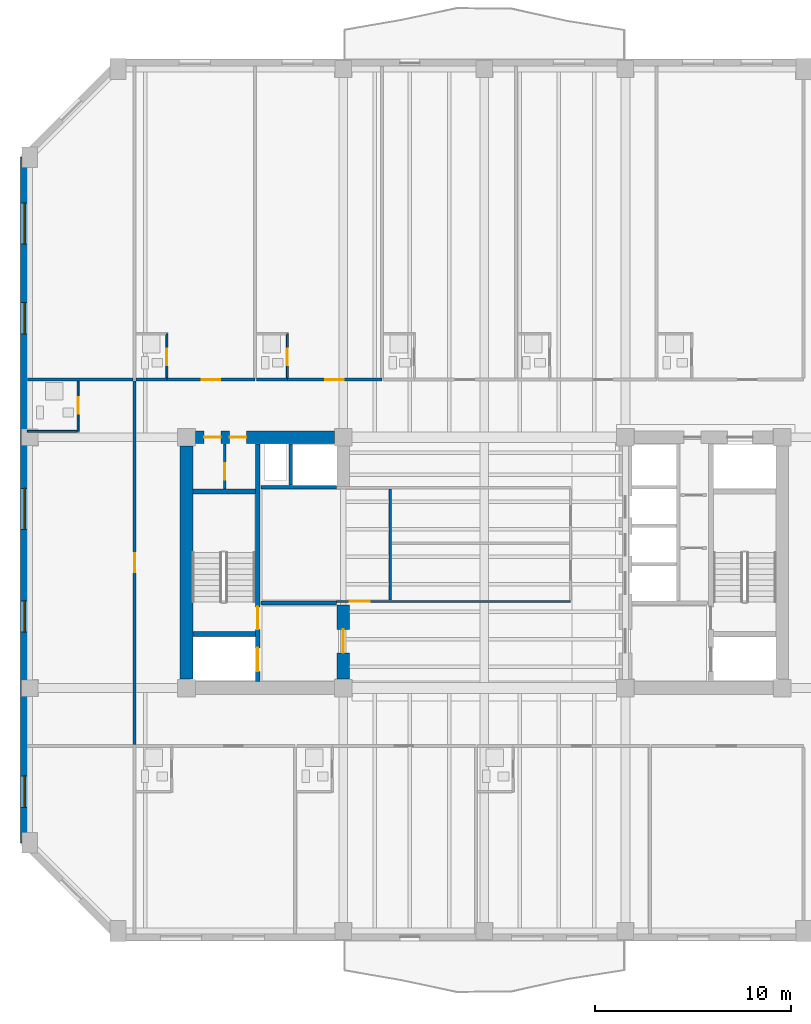
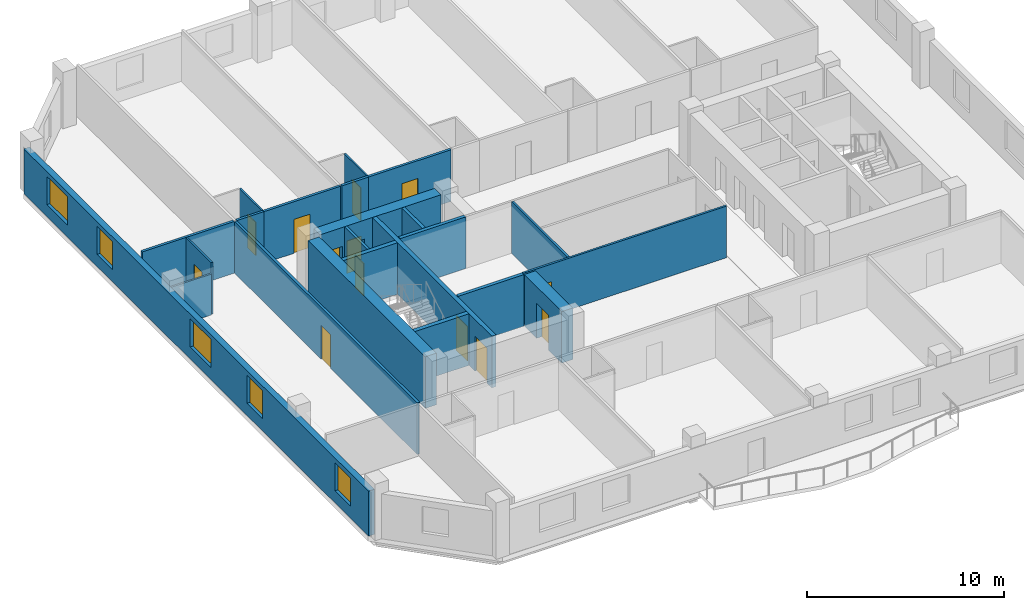
# One storey, part 3 of 10: 23 walls, 13 doors, 5 windows, 18 openings.
"""IFC4 building model written with IfcOpenShell, lengths in metres."""

from ifc_helpers import new_model, si_unit, direction, frame, frame_2d, origin, place, context, subcontext, project, spatial, rectangle, extrude, material, layer, layer_set, type_object, element, fill, save


model = new_model("IFC4")

# Units and contexts
model_context = context("Model", 3, precision=1e-05, world=origin(), true_north=direction((0.0, 1.0)))
body_context = subcontext(model_context, "Body", "Model", "MODEL_VIEW")
ifc_project = project(units=[si_unit("LENGTHUNIT", "METRE"), si_unit("AREAUNIT", "SQUARE_METRE"), si_unit("VOLUMEUNIT", "CUBIC_METRE"), si_unit("PLANEANGLEUNIT", "RADIAN"), si_unit("MASSUNIT", "GRAM", prefix="KILO")], contexts=[model_context])

# Site, building, storey
site_placement = place(None, origin())
site = spatial("IfcSite", under=ifc_project, at=site_placement, CompositionType="ELEMENT")
building_placement = place(site_placement, origin())
building = spatial("IfcBuilding", under=site, at=building_placement, Name="Kranthara Brick Stack", CompositionType="ELEMENT")
storey_placement = place(building_placement, frame((0.0, 0.0, 186.800048828125)))
storey = spatial("IfcBuildingStorey", under=building, at=storey_placement, Name="L48", CompositionType="ELEMENT", Elevation=186.800048828125)

# Wall, openings, windows
ifc_material_1 = material(Name="Kiln-fired clay brick masonry M15", Category="masonry")
ifc_layer_1 = layer(ifc_material_1, 0.35009765625)
ifc_layer_set_1 = layer_set([ifc_layer_1], Name="Kiln-fired clay brick masonry M15")
wall_type_1 = type_object("IfcWallType", Name="WL-BRK-SPND-350", PredefinedType="STANDARD", material=ifc_layer_set_1)
wall_1_placement = place(storey_placement, frame((4.4951171875, 12.89990234375, 0.0), z_axis=(0.0, 0.0, 1.0), x_axis=(0.0, 1.0, 0.0)))
wall_1 = element("IfcWall", 1, at=wall_1_placement, inside=storey, type_object=wall_type_1, Name="L48 Exterior Brick Facade Wall WEST 1", PredefinedType="STANDARD", context=body_context, shape_type="SweptSolid", body=[
    extrude(rectangle(XDim=35.0, YDim=0.35009765625, at=frame_2d((17.5, 0.0))), origin(), (0.0, 0.0, 1.0), 2.784912109375),
])
opening_1_placement = place(wall_1_placement, frame((1.81298828125, 0.0, 0.75)))
opening_1 = element("IfcOpeningElement", 2, at=opening_1_placement, cuts=wall_1, Name="Opening WN04", PredefinedType="OPENING", context=body_context, shape_type="SweptSolid", body=[
    extrude(rectangle(XDim=1.60009765625, YDim=1.75, at=frame_2d((0.800048828125, 0.875))), frame((0.0, 0.18505859375, 0.0), z_axis=(0.0, -1.0, 0.0), x_axis=(1.0, 0.0, 0.0)), (0.0, 0.0, 1.0), 0.3701171875),
])
opening_2_placement = place(wall_1_placement, frame((10.751953125, 0.0, 0.75)))
opening_2 = element("IfcOpeningElement", 3, at=opening_2_placement, cuts=wall_1, Name="Opening WN04", PredefinedType="OPENING", context=body_context, shape_type="SweptSolid", body=[
    extrude(rectangle(XDim=1.60009765625, YDim=1.75, at=frame_2d((0.800048828125, 0.875))), frame((0.0, 0.18505859375, 0.0), z_axis=(0.0, -1.0, 0.0), x_axis=(1.0, 0.0, 0.0)), (0.0, 0.0, 1.0), 0.3701171875),
])
opening_3_placement = place(wall_1_placement, frame((15.998046875, 0.0, 0.75)))
opening_3 = element("IfcOpeningElement", 4, at=opening_3_placement, cuts=wall_1, Name="Opening WN05", PredefinedType="OPENING", context=body_context, shape_type="SweptSolid", body=[
    extrude(rectangle(XDim=2.10009765625, YDim=1.75, at=frame_2d((1.050048828125, 0.875))), frame((0.0, 0.18505859375, 0.0), z_axis=(0.0, -1.0, 0.0), x_axis=(1.0, 0.0, 0.0)), (0.0, 0.0, 1.0), 0.3701171875),
])
opening_4_placement = place(wall_1_placement, frame((25.969970703125, 0.0, 0.75)))
opening_4 = element("IfcOpeningElement", 5, at=opening_4_placement, cuts=wall_1, Name="Opening WN04", PredefinedType="OPENING", context=body_context, shape_type="SweptSolid", body=[
    extrude(rectangle(XDim=1.60009765625, YDim=1.75, at=frame_2d((0.800048828125, 0.875))), frame((0.0, 0.18505859375, 0.0), z_axis=(0.0, -1.0, 0.0), x_axis=(1.0, 0.0, 0.0)), (0.0, 0.0, 1.0), 0.3701171875),
])
opening_5_placement = place(wall_1_placement, frame((30.554931640625, 0.0, 0.75)))
opening_5 = element("IfcOpeningElement", 6, at=opening_5_placement, cuts=wall_1, Name="Opening WN05", PredefinedType="OPENING", context=body_context, shape_type="SweptSolid", body=[
    extrude(rectangle(XDim=2.10009765625, YDim=1.75, at=frame_2d((1.050048828125, 0.875))), frame((0.0, 0.18505859375, 0.0), z_axis=(0.0, -1.0, 0.0), x_axis=(1.0, 0.0, 0.0)), (0.0, 0.0, 1.0), 0.3701171875),
])
ifc_material_2 = material(Name="Double-glazed low-E solar control glass", Category="glass")
window_type_1 = type_object("IfcWindowType", Name="WN-HTL-1600x1850", PartitioningType="DOUBLE_PANEL_VERTICAL", PredefinedType="WINDOW", material=ifc_material_2)
window_1_placement = place(opening_1_placement, origin())
window_1 = element("IfcWindow", 7, at=window_1_placement, inside=storey, type_object=window_type_1, Name="L48 West Deep-Set Brick Window 01", OverallHeight=1.75, OverallWidth=1.60009765625, PartitioningType="SINGLE_PANEL", PredefinedType="WINDOW", context=body_context, shape_type="SweptSolid", body=[
    extrude(rectangle(XDim=1.60009765625, YDim=1.75, at=frame_2d((0.800048828125, 0.875))), frame((0.0, -0.010009765625, 0.0), z_axis=(0.0, -1.0, 0.0), x_axis=(1.0, 0.0, 0.0)), (0.0, 0.0, 1.0), 0.06005859375),
])
fill(opening_1, window_1)
window_2_placement = place(opening_2_placement, origin())
window_2 = element("IfcWindow", 8, at=window_2_placement, inside=storey, type_object=window_type_1, Name="L48 West Deep-Set Brick Window 02", OverallHeight=1.75, OverallWidth=1.60009765625, PartitioningType="SINGLE_PANEL", PredefinedType="WINDOW", context=body_context, shape_type="SweptSolid", body=[
    extrude(rectangle(XDim=1.60009765625, YDim=1.75, at=frame_2d((0.800048828125, 0.875))), frame((0.0, -0.010009765625, 0.0), z_axis=(0.0, -1.0, 0.0), x_axis=(1.0, 0.0, 0.0)), (0.0, 0.0, 1.0), 0.06005859375),
])
fill(opening_2, window_2)
window_3_placement = place(opening_4_placement, origin())
window_3 = element("IfcWindow", 9, at=window_3_placement, inside=storey, type_object=window_type_1, Name="L48 West Deep-Set Brick Window 04", OverallHeight=1.75, OverallWidth=1.60009765625, PartitioningType="SINGLE_PANEL", PredefinedType="WINDOW", context=body_context, shape_type="SweptSolid", body=[
    extrude(rectangle(XDim=1.60009765625, YDim=1.75, at=frame_2d((0.800048828125, 0.875))), frame((0.0, -0.010009765625, 0.0), z_axis=(0.0, -1.0, 0.0), x_axis=(1.0, 0.0, 0.0)), (0.0, 0.0, 1.0), 0.06005859375),
])
fill(opening_4, window_3)
ifc_material_3 = material(Name="Double-glazed low-E solar control glass", Category="glass")
window_type_2 = type_object("IfcWindowType", Name="WN-HTL-2100x1850", PartitioningType="DOUBLE_PANEL_VERTICAL", PredefinedType="WINDOW", material=ifc_material_3)
window_4_placement = place(opening_3_placement, origin())
window_4 = element("IfcWindow", 10, at=window_4_placement, inside=storey, type_object=window_type_2, Name="L48 West Deep-Set Brick Window 03", OverallHeight=1.75, OverallWidth=2.10009765625, PartitioningType="SINGLE_PANEL", PredefinedType="WINDOW", context=body_context, shape_type="SweptSolid", body=[
    extrude(rectangle(XDim=2.10009765625, YDim=1.75, at=frame_2d((1.050048828125, 0.875))), frame((0.0, -0.010009765625, 0.0), z_axis=(0.0, -1.0, 0.0), x_axis=(1.0, 0.0, 0.0)), (0.0, 0.0, 1.0), 0.06005859375),
])
fill(opening_3, window_4)
window_5_placement = place(opening_5_placement, origin())
window_5 = element("IfcWindow", 11, at=window_5_placement, inside=storey, type_object=window_type_2, Name="L48 West Deep-Set Brick Window 05", OverallHeight=1.75, OverallWidth=2.10009765625, PartitioningType="SINGLE_PANEL", PredefinedType="WINDOW", context=body_context, shape_type="SweptSolid", body=[
    extrude(rectangle(XDim=2.10009765625, YDim=1.75, at=frame_2d((1.050048828125, 0.875))), frame((0.0, -0.010009765625, 0.0), z_axis=(0.0, -1.0, 0.0), x_axis=(1.0, 0.0, 0.0)), (0.0, 0.0, 1.0), 0.06005859375),
])
fill(opening_5, window_5)

# Wall, openings, doors
ifc_material_4 = material(Name="Concrete C50/60", Category="concrete")
ifc_layer_2 = layer(ifc_material_4, 0.25)
ifc_layer_set_2 = layer_set([ifc_layer_2], Name="Concrete C50/60")
wall_type_2 = type_object("IfcWallType", Name="WL-CORE-250", PredefinedType="SHEAR", material=ifc_layer_set_2)
wall_2_placement = place(storey_placement, frame((16.43505859375, 21.135009765625, 0.0), z_axis=(0.0, 0.0, 1.0), x_axis=(0.0, 1.0, 0.0)))
wall_2 = element("IfcWall", 12, at=wall_2_placement, inside=storey, type_object=wall_type_2, Name="L48 West Core Stair Bearing Spine Wall", PredefinedType="SHEAR", context=body_context, shape_type="SweptSolid", body=[
    extrude(rectangle(XDim=12.1298828125, YDim=0.25, at=frame_2d((6.06494140625, 0.0))), origin(), (0.0, 0.0, 1.0), 3.199951171875),
])
opening_6_placement = place(wall_2_placement, frame((0.514892578125, 0.0, 0.0)))
opening_6 = element("IfcOpeningElement", 13, at=opening_6_placement, cuts=wall_2, Name="Opening LD01", PredefinedType="OPENING", context=body_context, shape_type="SweptSolid", body=[
    extrude(rectangle(XDim=1.199951171875, YDim=2.14990234375, at=frame_2d((0.60009765625, 1.074951171875))), frame((0.0, 0.135009765625, 0.0), z_axis=(0.0, -1.0, 0.0), x_axis=(1.0, 0.0, 0.0)), (0.0, 0.0, 1.0), 0.27001953125),
])
opening_7_placement = place(wall_2_placement, frame((2.6650390625, 0.0, 0.0)))
opening_7 = element("IfcOpeningElement", 14, at=opening_7_placement, cuts=wall_2, Name="Opening D05", PredefinedType="OPENING", context=body_context, shape_type="SweptSolid", body=[
    extrude(rectangle(XDim=1.14990234375, YDim=2.14990234375, at=frame_2d((0.574951171875, 1.074951171875))), frame((0.0, 0.135009765625, 0.0), z_axis=(0.0, -1.0, 0.0), x_axis=(1.0, 0.0, 0.0)), (0.0, 0.0, 1.0), 0.27001953125),
])
ifc_material_5 = material(Name="Stainless steel sliding landing door", Category="steel")
door_type_1 = type_object("IfcDoorType", Name="DR-LD-FF1200", OperationType="DOUBLE_DOOR_SLIDING", PredefinedType="DOOR", material=ifc_material_5)
door_1_placement = place(opening_6_placement, origin())
door_1 = element("IfcDoor", 15, at=door_1_placement, inside=storey, type_object=door_type_1, Name="L48 Firefighting Lift FF-01 Landing Door", OperationType="DOUBLE_DOOR_SLIDING", OverallHeight=2.14990234375, OverallWidth=1.199951171875, PredefinedType="DOOR", context=body_context, shape_type="SweptSolid", body=[
    extrude(rectangle(XDim=1.199951171875, YDim=2.14990234375, at=frame_2d((0.60009765625, 1.074951171875))), frame((0.0, 0.02490234375, 0.0), z_axis=(0.0, -1.0, 0.0), x_axis=(1.0, 0.0, 0.0)), (0.0, 0.0, 1.0), 0.050048828125),
])
fill(opening_6, door_1)
ifc_material_6 = material(Name="Solid-core hardwood timber leaf in steel frame", Category="steel")
door_type_2 = type_object("IfcDoorType", Name="DR-ST-1150", OperationType="NOTDEFINED", PredefinedType="DOOR", material=ifc_material_6)
door_2_placement = place(opening_7_placement, origin())
door_2 = element("IfcDoor", 16, at=door_2_placement, inside=storey, type_object=door_type_2, Name="L48 Exit Stair ST01 Door", OperationType="SINGLE_SWING_RIGHT", OverallHeight=2.14990234375, OverallWidth=1.14990234375, PredefinedType="DOOR", context=body_context, shape_type="SweptSolid", body=[
    extrude(rectangle(XDim=1.14990234375, YDim=2.14990234375, at=frame_2d((0.574951171875, 1.074951171875))), frame((0.0, 0.02490234375, 0.0), z_axis=(0.0, -1.0, 0.0), x_axis=(1.0, 0.0, 0.0)), (0.0, 0.0, 1.0), 0.050048828125),
])
fill(opening_7, door_2)

# Walls
for number, where, z_axis, x_axis, name in (
    (17, (13.135009765625, 23.570068359375, 0.0), (0.0, 0.0, 1.0), (1.0, 0.0, 0.0), "L48 West Stairwell Bearing Wall WFF"),
    (18, (13.135009765625, 30.830078125, 0.0), (0.0, 0.0, 1.0), (1.0, 0.0, 0.0), "L48 West Stairwell Bearing Wall WST"),
):
    element("IfcWall", number, at=place(storey_placement, frame(where, z_axis=z_axis, x_axis=x_axis)), inside=storey, type_object=wall_type_2, Name=name, PredefinedType="SHEAR", context=body_context, shape_type="SweptSolid", body=[
        extrude(rectangle(XDim=3.175048828125, YDim=0.25, at=frame_2d((1.58740234375, 0.0))), origin(), (0.0, 0.0, 1.0), 3.199951171875),
    ])
ifc_material_7 = material(Name="Concrete C60/75", Category="concrete")
ifc_layer_3 = layer(ifc_material_7, 0.64990234375)
ifc_layer_set_3 = layer_set([ifc_layer_3], Name="Concrete C60/75")
wall_type_3 = type_object("IfcWallType", Name="WL-CORE-650", PredefinedType="SHEAR", material=ifc_layer_set_3)
wall_3_placement = place(storey_placement, frame((12.800048828125, 21.2548828125, 0.0), z_axis=(0.0, 0.0, 1.0), x_axis=(0.0, 1.0, 0.0)))
element("IfcWall", 19, at=wall_3_placement, inside=storey, type_object=wall_type_3, Name="L48 West Core Shear Wall West", PredefinedType="SHEAR", context=body_context, shape_type="SweptSolid", body=[
    extrude(rectangle(XDim=11.89013671875, YDim=0.64990234375, at=frame_2d((5.945068359375, 0.0))), origin(), (0.0, 0.0, 1.0), 3.199951171875),
])

# Wall, openings, doors
wall_4_placement = place(storey_placement, frame((13.2548828125, 33.60009765625, 0.0), z_axis=(0.0, 0.0, 1.0), x_axis=(1.0, 0.0, 0.0)))
wall_4 = element("IfcWall", 20, at=wall_4_placement, inside=storey, type_object=wall_type_3, Name="L48 West Core Shear Wall North", PredefinedType="SHEAR", context=body_context, shape_type="SweptSolid", body=[
    extrude(rectangle(XDim=7.090087890625, YDim=0.64990234375, at=frame_2d((3.544921875, 0.0))), origin(), (0.0, 0.0, 1.0), 3.199951171875),
])
opening_8_placement = place(wall_4_placement, frame((0.445068359375, 0.0, 0.0)))
opening_8 = element("IfcOpeningElement", 21, at=opening_8_placement, cuts=wall_4, Name="Opening D10", PredefinedType="OPENING", context=body_context, shape_type="SweptSolid", body=[
    extrude(rectangle(XDim=0.85009765625, YDim=2.02001953125, at=frame_2d((0.425048828125, 1.010009765625))), frame((0.0, 0.3349609375, 0.0), z_axis=(0.0, -1.0, 0.0), x_axis=(1.0, 0.0, 0.0)), (0.0, 0.0, 1.0), 0.669921875),
])
opening_9_placement = place(wall_4_placement, frame((1.7451171875, 0.0, 0.0)))
opening_9 = element("IfcOpeningElement", 22, at=opening_9_placement, cuts=wall_4, Name="Opening D10", PredefinedType="OPENING", context=body_context, shape_type="SweptSolid", body=[
    extrude(rectangle(XDim=0.85009765625, YDim=2.02001953125, at=frame_2d((0.425048828125, 1.010009765625))), frame((0.0, 0.3349609375, 0.0), z_axis=(0.0, -1.0, 0.0), x_axis=(1.0, 0.0, 0.0)), (0.0, 0.0, 1.0), 0.669921875),
])
ifc_material_8 = material(Name="Solid-core hardwood timber leaf in steel frame", Category="steel")
door_type_3 = type_object("IfcDoorType", Name="DR-RSR-850", OperationType="NOTDEFINED", PredefinedType="DOOR", material=ifc_material_8)
door_3_placement = place(opening_8_placement, origin())
door_3 = element("IfcDoor", 23, at=door_3_placement, inside=storey, type_object=door_type_3, Name="L48 West Core Service Door 1", OperationType="SINGLE_SWING_LEFT", OverallHeight=2.02001953125, OverallWidth=0.85009765625, PredefinedType="DOOR", context=body_context, shape_type="SweptSolid", body=[
    extrude(rectangle(XDim=0.85009765625, YDim=2.02001953125, at=frame_2d((0.425048828125, 1.010009765625))), frame((0.0, 0.02490234375, 0.0), z_axis=(0.0, -1.0, 0.0), x_axis=(1.0, 0.0, 0.0)), (0.0, 0.0, 1.0), 0.050048828125),
])
fill(opening_8, door_3)
door_4_placement = place(opening_9_placement, origin())
door_4 = element("IfcDoor", 24, at=door_4_placement, inside=storey, type_object=door_type_3, Name="L48 West Core Service Door 2", OperationType="SINGLE_SWING_RIGHT", OverallHeight=2.02001953125, OverallWidth=0.85009765625, PredefinedType="DOOR", context=body_context, shape_type="SweptSolid", body=[
    extrude(rectangle(XDim=0.85009765625, YDim=2.02001953125, at=frame_2d((0.425048828125, 1.010009765625))), frame((0.0, 0.02490234375, 0.0), z_axis=(0.0, -1.0, 0.0), x_axis=(1.0, 0.0, 0.0)), (0.0, 0.0, 1.0), 0.050048828125),
])
fill(opening_9, door_4)

# Wall, opening, door
wall_5_placement = place(storey_placement, frame((20.800048828125, 21.2548828125, 0.0), z_axis=(0.0, 0.0, 1.0), x_axis=(0.0, 1.0, 0.0)))
wall_5 = element("IfcWall", 25, at=wall_5_placement, inside=storey, type_object=wall_type_3, Name="L48 West Core Lobby Shear Wall", PredefinedType="SHEAR", context=body_context, shape_type="SweptSolid", body=[
    extrude(rectangle(XDim=3.795166015625, YDim=0.64990234375, at=frame_2d((1.8974609375, 0.0))), origin(), (0.0, 0.0, 1.0), 3.199951171875),
])
opening_10_placement = place(wall_5_placement, frame((1.344970703125, 0.0, 0.0)))
opening_10 = element("IfcOpeningElement", 26, at=opening_10_placement, cuts=wall_5, Name="Opening D06", PredefinedType="OPENING", context=body_context, shape_type="SweptSolid", body=[
    extrude(rectangle(XDim=1.199951171875, YDim=2.14990234375, at=frame_2d((0.60009765625, 1.074951171875))), frame((0.0, 0.3349609375, 0.0), z_axis=(0.0, -1.0, 0.0), x_axis=(1.0, 0.0, 0.0)), (0.0, 0.0, 1.0), 0.669921875),
])
ifc_material_9 = material(Name="Solid-core hardwood timber leaf in steel frame", Category="steel")
door_type_4 = type_object("IfcDoorType", Name="DR-FFL-1200", OperationType="NOTDEFINED", PredefinedType="DOOR", material=ifc_material_9)
door_5_placement = place(opening_10_placement, origin())
door_5 = element("IfcDoor", 27, at=door_5_placement, inside=storey, type_object=door_type_4, Name="L48 West Firefighting Lobby Door", OperationType="SINGLE_SWING_LEFT", OverallHeight=2.14990234375, OverallWidth=1.199951171875, PredefinedType="DOOR", context=body_context, shape_type="SweptSolid", body=[
    extrude(rectangle(XDim=1.199951171875, YDim=2.14990234375, at=frame_2d((0.60009765625, 1.074951171875))), frame((0.0, 0.02490234375, 0.0), z_axis=(0.0, -1.0, 0.0), x_axis=(1.0, 0.0, 0.0)), (0.0, 0.0, 1.0), 0.050048828125),
])
fill(opening_10, door_5)

ifc_material_10 = material(Name="Moisture-resistant wet-room partition", Category="other")
ifc_layer_4 = layer(ifc_material_10, 0.10009765625)
ifc_layer_set_4 = layer_set([ifc_layer_4], Name="Moisture-resistant wet-room partition")
wall_type_4 = type_object("IfcWallType", Name="WL-PART-100", PredefinedType="PARTITIONING", material=ifc_layer_set_4)
wall_6_placement = place(storey_placement, frame((11.800048828125, 36.6298828125, 0.0), z_axis=(0.0, 0.0, 1.0), x_axis=(0.0, 1.0, 0.0)))
wall_6 = element("IfcWall", 28, at=wall_6_placement, inside=storey, type_object=wall_type_4, Name="L48 Interior Partition 030", PredefinedType="PARTITIONING", context=body_context, shape_type="SweptSolid", body=[
    extrude(rectangle(XDim=2.25, YDim=0.10009765625, at=frame_2d((1.125, 0.0))), origin(), (0.0, 0.0, 1.0), 3.199951171875),
])
opening_11_placement = place(wall_6_placement, frame((0.639892578125, 0.0, 0.0)))
opening_11 = element("IfcOpeningElement", 29, at=opening_11_placement, cuts=wall_6, Name="Opening D17", PredefinedType="OPENING", context=body_context, shape_type="SweptSolid", body=[
    extrude(rectangle(XDim=0.85009765625, YDim=2.050048828125, at=frame_2d((0.425048828125, 1.02490234375))), frame((0.0, 0.06005859375, 0.0), z_axis=(0.0, -1.0, 0.0), x_axis=(1.0, 0.0, 0.0)), (0.0, 0.0, 1.0), 0.1201171875),
])
ifc_material_11 = material(Name="Solid-core hardwood timber leaf in steel frame", Category="steel")
door_type_5 = type_object("IfcDoorType", Name="DR-WET-850", OperationType="NOTDEFINED", PredefinedType="DOOR", material=ifc_material_11)
door_6_placement = place(opening_11_placement, origin())
door_6 = element("IfcDoor", 30, at=door_6_placement, inside=storey, type_object=door_type_5, Name="L48 Key 05 En-Suite Door 14", OperationType="SINGLE_SWING_RIGHT", OverallHeight=2.050048828125, OverallWidth=0.85009765625, PredefinedType="DOOR", context=body_context, shape_type="SweptSolid", body=[
    extrude(rectangle(XDim=0.85009765625, YDim=2.050048828125, at=frame_2d((0.425048828125, 1.02490234375))), frame((0.0, 0.02490234375, 0.0), z_axis=(0.0, -1.0, 0.0), x_axis=(1.0, 0.0, 0.0)), (0.0, 0.0, 1.0), 0.050048828125),
])
fill(opening_11, door_6)

wall_7_placement = place(storey_placement, frame((17.947021484375, 36.6298828125, 0.0), z_axis=(0.0, 0.0, 1.0), x_axis=(0.0, 1.0, 0.0)))
wall_7 = element("IfcWall", 31, at=wall_7_placement, inside=storey, type_object=wall_type_4, Name="L48 Interior Partition 035", PredefinedType="PARTITIONING", context=body_context, shape_type="SweptSolid", body=[
    extrude(rectangle(XDim=2.25, YDim=0.10009765625, at=frame_2d((1.125, 0.0))), origin(), (0.0, 0.0, 1.0), 3.199951171875),
])
opening_12_placement = place(wall_7_placement, frame((0.639892578125, 0.0, 0.0)))
opening_12 = element("IfcOpeningElement", 32, at=opening_12_placement, cuts=wall_7, Name="Opening D17", PredefinedType="OPENING", context=body_context, shape_type="SweptSolid", body=[
    extrude(rectangle(XDim=0.85009765625, YDim=2.050048828125, at=frame_2d((0.425048828125, 1.02490234375))), frame((0.0, 0.06005859375, 0.0), z_axis=(0.0, -1.0, 0.0), x_axis=(1.0, 0.0, 0.0)), (0.0, 0.0, 1.0), 0.1201171875),
])
door_7_placement = place(opening_12_placement, origin())
door_7 = element("IfcDoor", 33, at=door_7_placement, inside=storey, type_object=door_type_5, Name="L48 Key 06 En-Suite Door 16", OperationType="SINGLE_SWING_RIGHT", OverallHeight=2.050048828125, OverallWidth=0.85009765625, PredefinedType="DOOR", context=body_context, shape_type="SweptSolid", body=[
    extrude(rectangle(XDim=0.85009765625, YDim=2.050048828125, at=frame_2d((0.425048828125, 1.02490234375))), frame((0.0, 0.02490234375, 0.0), z_axis=(0.0, -1.0, 0.0), x_axis=(1.0, 0.0, 0.0)), (0.0, 0.0, 1.0), 0.050048828125),
])
fill(opening_12, door_7)

wall_8_placement = place(storey_placement, frame((7.27001953125, 33.89990234375, 0.0), z_axis=(0.0, 0.0, 1.0), x_axis=(0.0, 1.0, 0.0)))
wall_8 = element("IfcWall", 34, at=wall_8_placement, inside=storey, type_object=wall_type_4, Name="L48 Interior Partition 056", PredefinedType="PARTITIONING", context=body_context, shape_type="SweptSolid", body=[
    extrude(rectangle(XDim=2.570068359375, YDim=0.10009765625, at=frame_2d((1.28515625, 0.0))), origin(), (0.0, 0.0, 1.0), 3.199951171875),
])
opening_13_placement = place(wall_8_placement, frame((0.905029296875, 0.0, 0.0)))
opening_13 = element("IfcOpeningElement", 35, at=opening_13_placement, cuts=wall_8, Name="Opening D17", PredefinedType="OPENING", context=body_context, shape_type="SweptSolid", body=[
    extrude(rectangle(XDim=0.85009765625, YDim=2.050048828125, at=frame_2d((0.425048828125, 1.02490234375))), frame((0.0, 0.06005859375, 0.0), z_axis=(0.0, -1.0, 0.0), x_axis=(1.0, 0.0, 0.0)), (0.0, 0.0, 1.0), 0.1201171875),
])
door_8_placement = place(opening_13_placement, origin())
door_8 = element("IfcDoor", 36, at=door_8_placement, inside=storey, type_object=door_type_5, Name="L48 West Key 10 Bath 24", OperationType="SINGLE_SWING_RIGHT", OverallHeight=2.050048828125, OverallWidth=0.85009765625, PredefinedType="DOOR", context=body_context, shape_type="SweptSolid", body=[
    extrude(rectangle(XDim=0.85009765625, YDim=2.050048828125, at=frame_2d((0.425048828125, 1.02490234375))), frame((0.0, 0.02490234375, 0.0), z_axis=(0.0, -1.0, 0.0), x_axis=(1.0, 0.0, 0.0)), (0.0, 0.0, 1.0), 0.050048828125),
])
fill(opening_13, door_8)

# Wall
wall_9_placement = place(storey_placement, frame((4.675048828125, 33.89990234375, 0.0), z_axis=(0.0, 0.0, 1.0), x_axis=(1.0, 0.0, 0.0)))
element("IfcWall", 37, at=wall_9_placement, inside=storey, type_object=wall_type_4, Name="L48 Interior Partition 057", PredefinedType="PARTITIONING", context=body_context, shape_type="SweptSolid", body=[
    extrude(rectangle(XDim=2.5400390625, YDim=0.10009765625, at=frame_2d((1.27001953125, 0.0))), origin(), (0.0, 0.0, 1.0), 2.534912109375),
])

# Wall, opening, door
ifc_material_12 = material(Name="Acoustic gypsum plasterboard partition", Category="other")
ifc_layer_5 = layer(ifc_material_12, 0.1201171875)
ifc_layer_set_5 = layer_set([ifc_layer_5], Name="Acoustic gypsum plasterboard partition")
wall_type_5 = type_object("IfcWallType", Name="WL-PART-120", PredefinedType="PARTITIONING", material=ifc_layer_set_5)
wall_10_placement = place(storey_placement, frame((20.4599609375, 25.219970703125, 0.0), z_axis=(0.0, 0.0, 1.0), x_axis=(1.0, 0.0, 0.0)))
wall_10 = element("IfcWall", 38, at=wall_10_placement, inside=storey, type_object=wall_type_5, Name="L48 Interior Partition 004", PredefinedType="PARTITIONING", context=body_context, shape_type="SweptSolid", body=[
    extrude(rectangle(XDim=11.93994140625, YDim=0.1201171875, at=frame_2d((5.969970703125, 0.0))), origin(), (0.0, 0.0, 1.0), 3.199951171875),
])
opening_14_placement = place(wall_10_placement, frame((0.679931640625, 0.0, 0.0)))
opening_14 = element("IfcOpeningElement", 39, at=opening_14_placement, cuts=wall_10, Name="Opening D13", PredefinedType="OPENING", context=body_context, shape_type="SweptSolid", body=[
    extrude(rectangle(XDim=1.0, YDim=2.10009765625, at=frame_2d((0.5, 1.050048828125))), frame((0.0, 0.070068359375, 0.0), z_axis=(0.0, -1.0, 0.0), x_axis=(1.0, 0.0, 0.0)), (0.0, 0.0, 1.0), 0.14013671875),
])
ifc_material_13 = material(Name="Solid-core hardwood timber leaf in steel frame", Category="steel")
door_type_6 = type_object("IfcDoorType", Name="DR-INT-1000", OperationType="NOTDEFINED", PredefinedType="DOOR", material=ifc_material_13)
door_9_placement = place(opening_14_placement, origin())
door_9 = element("IfcDoor", 40, at=door_9_placement, inside=storey, type_object=door_type_6, Name="L48 Hotel Study Door 04", OperationType="SINGLE_SWING_RIGHT", OverallHeight=2.10009765625, OverallWidth=1.0, PredefinedType="DOOR", context=body_context, shape_type="SweptSolid", body=[
    extrude(rectangle(XDim=1.0, YDim=2.10009765625, at=frame_2d((0.5, 1.050048828125))), frame((0.0, 0.02490234375, 0.0), z_axis=(0.0, -1.0, 0.0), x_axis=(1.0, 0.0, 0.0)), (0.0, 0.0, 1.0), 0.050048828125),
])
fill(opening_14, door_9)

# Wall
wall_11_placement = place(storey_placement, frame((23.199951171875, 25.284912109375, 0.0), z_axis=(0.0, 0.0, 1.0), x_axis=(0.0, 1.0, 0.0)))
element("IfcWall", 41, at=wall_11_placement, inside=storey, type_object=wall_type_5, Name="L48 Interior Partition 007", PredefinedType="PARTITIONING", context=body_context, shape_type="SweptSolid", body=[
    extrude(rectangle(XDim=5.670166015625, YDim=0.1201171875, at=frame_2d((2.8349609375, 0.0))), origin(), (0.0, 0.0, 1.0), 3.199951171875),
])

# Wall, opening, door
ifc_material_14 = material(Name="Fire-rated gypsum board partition", Category="other")
ifc_layer_6 = layer(ifc_material_14, 0.14990234375)
ifc_layer_set_6 = layer_set([ifc_layer_6], Name="Fire-rated gypsum board partition")
wall_type_6 = type_object("IfcWallType", Name="WL-PART-150", PredefinedType="PARTITIONING", material=ifc_layer_set_6)
wall_12_placement = place(storey_placement, frame((14.75, 30.9599609375, 0.0), z_axis=(0.0, 0.0, 1.0), x_axis=(0.0, 1.0, 0.0)))
wall_12 = element("IfcWall", 42, at=wall_12_placement, inside=storey, type_object=wall_type_6, Name="L48 Interior Partition 001", PredefinedType="PARTITIONING", context=body_context, shape_type="SweptSolid", body=[
    extrude(rectangle(XDim=2.31005859375, YDim=0.14990234375, at=frame_2d((1.155029296875, 0.0))), origin(), (0.0, 0.0, 1.0), 3.199951171875),
])
opening_15_placement = place(wall_12_placement, frame((0.469970703125, 0.0, 0.0)))
opening_15 = element("IfcOpeningElement", 43, at=opening_15_placement, cuts=wall_12, Name="Opening D10", PredefinedType="OPENING", context=body_context, shape_type="SweptSolid", body=[
    extrude(rectangle(XDim=0.85009765625, YDim=2.02001953125, at=frame_2d((0.425048828125, 1.010009765625))), frame((0.0, 0.0849609375, 0.0), z_axis=(0.0, -1.0, 0.0), x_axis=(1.0, 0.0, 0.0)), (0.0, 0.0, 1.0), 0.169921875),
])
door_10_placement = place(opening_15_placement, origin())
door_10 = element("IfcDoor", 44, at=door_10_placement, inside=storey, type_object=door_type_3, Name="L48 Service Interconnect 01", OperationType="SINGLE_SWING_LEFT", OverallHeight=2.02001953125, OverallWidth=0.85009765625, PredefinedType="DOOR", context=body_context, shape_type="SweptSolid", body=[
    extrude(rectangle(XDim=0.85009765625, YDim=2.02001953125, at=frame_2d((0.425048828125, 1.010009765625))), frame((0.0, 0.02490234375, 0.0), z_axis=(0.0, -1.0, 0.0), x_axis=(1.0, 0.0, 0.0)), (0.0, 0.0, 1.0), 0.050048828125),
])
fill(opening_15, door_10)

# Wall
wall_13_placement = place(storey_placement, frame((10.22998046875, 36.550048828125, 0.0), z_axis=(0.0, 0.0, 1.0), x_axis=(1.0, 0.0, 0.0)))
element("IfcWall", 45, at=wall_13_placement, inside=storey, type_object=wall_type_6, Name="L48 Interior Partition 028", PredefinedType="PARTITIONING", context=body_context, shape_type="SweptSolid", body=[
    extrude(rectangle(XDim=1.570068359375, YDim=0.14990234375, at=frame_2d((0.78515625, 0.0))), origin(), (0.0, 0.0, 1.0), 3.199951171875),
])

# Wall, opening, door
wall_14_placement = place(storey_placement, frame((11.800048828125, 36.550048828125, 0.0), z_axis=(0.0, 0.0, 1.0), x_axis=(1.0, 0.0, 0.0)))
wall_14 = element("IfcWall", 46, at=wall_14_placement, inside=storey, type_object=wall_type_6, Name="L48 Interior Partition 029", PredefinedType="PARTITIONING", context=body_context, shape_type="SweptSolid", body=[
    extrude(rectangle(XDim=4.4970703125, YDim=0.14990234375, at=frame_2d((2.24853515625, 0.0))), origin(), (0.0, 0.0, 1.0), 3.199951171875),
])
opening_16_placement = place(wall_14_placement, frame((1.76806640625, 0.0, 0.0)))
opening_16 = element("IfcOpeningElement", 47, at=opening_16_placement, cuts=wall_14, Name="Opening D09", PredefinedType="OPENING", context=body_context, shape_type="SweptSolid", body=[
    extrude(rectangle(XDim=0.949951171875, YDim=2.10009765625, at=frame_2d((0.47509765625, 1.050048828125))), frame((0.0, 0.0849609375, 0.0), z_axis=(0.0, -1.0, 0.0), x_axis=(1.0, 0.0, 0.0)), (0.0, 0.0, 1.0), 0.169921875),
])
ifc_material_15 = material(Name="Solid-core hardwood timber leaf in steel frame", Category="steel")
door_type_7 = type_object("IfcDoorType", Name="DR-FD-950", OperationType="NOTDEFINED", PredefinedType="DOOR", material=ifc_material_15)
door_11_placement = place(opening_16_placement, origin())
door_11 = element("IfcDoor", 48, at=door_11_placement, inside=storey, type_object=door_type_7, Name="L48 Key 05 Entry 15", OperationType="SINGLE_SWING_LEFT", OverallHeight=2.10009765625, OverallWidth=0.949951171875, PredefinedType="DOOR", context=body_context, shape_type="SweptSolid", body=[
    extrude(rectangle(XDim=0.949951171875, YDim=2.10009765625, at=frame_2d((0.47509765625, 1.050048828125))), frame((0.0, 0.02490234375, 0.0), z_axis=(0.0, -1.0, 0.0), x_axis=(1.0, 0.0, 0.0)), (0.0, 0.0, 1.0), 0.050048828125),
])
fill(opening_16, door_11)

# Wall
wall_15_placement = place(storey_placement, frame((16.376953125, 36.550048828125, 0.0), z_axis=(0.0, 0.0, 1.0), x_axis=(1.0, 0.0, 0.0)))
element("IfcWall", 49, at=wall_15_placement, inside=storey, type_object=wall_type_6, Name="L48 Interior Partition 033", PredefinedType="PARTITIONING", context=body_context, shape_type="SweptSolid", body=[
    extrude(rectangle(XDim=1.570068359375, YDim=0.14990234375, at=frame_2d((0.78515625, 0.0))), origin(), (0.0, 0.0, 1.0), 3.199951171875),
])

# Wall, opening, door
wall_16_placement = place(storey_placement, frame((17.947021484375, 36.550048828125, 0.0), z_axis=(0.0, 0.0, 1.0), x_axis=(1.0, 0.0, 0.0)))
wall_16 = element("IfcWall", 50, at=wall_16_placement, inside=storey, type_object=wall_type_6, Name="L48 Interior Partition 034", PredefinedType="PARTITIONING", context=body_context, shape_type="SweptSolid", body=[
    extrude(rectangle(XDim=4.837890625, YDim=0.14990234375, at=frame_2d((2.4189453125, 0.0))), origin(), (0.0, 0.0, 1.0), 3.199951171875),
])
opening_17_placement = place(wall_16_placement, frame((1.93896484375, 0.0, 0.0)))
opening_17 = element("IfcOpeningElement", 51, at=opening_17_placement, cuts=wall_16, Name="Opening D09", PredefinedType="OPENING", context=body_context, shape_type="SweptSolid", body=[
    extrude(rectangle(XDim=0.949951171875, YDim=2.10009765625, at=frame_2d((0.47509765625, 1.050048828125))), frame((0.0, 0.0849609375, 0.0), z_axis=(0.0, -1.0, 0.0), x_axis=(1.0, 0.0, 0.0)), (0.0, 0.0, 1.0), 0.169921875),
])
door_12_placement = place(opening_17_placement, origin())
door_12 = element("IfcDoor", 52, at=door_12_placement, inside=storey, type_object=door_type_7, Name="L48 Key 06 Entry 17", OperationType="SINGLE_SWING_LEFT", OverallHeight=2.10009765625, OverallWidth=0.949951171875, PredefinedType="DOOR", context=body_context, shape_type="SweptSolid", body=[
    extrude(rectangle(XDim=0.949951171875, YDim=2.10009765625, at=frame_2d((0.47509765625, 1.050048828125))), frame((0.0, 0.02490234375, 0.0), z_axis=(0.0, -1.0, 0.0), x_axis=(1.0, 0.0, 0.0)), (0.0, 0.0, 1.0), 0.050048828125),
])
fill(opening_17, door_12)

# Wall
wall_17_placement = place(storey_placement, frame((4.675048828125, 36.550048828125, 0.0), z_axis=(0.0, 0.0, 1.0), x_axis=(1.0, 0.0, 0.0)))
element("IfcWall", 53, at=wall_17_placement, inside=storey, type_object=wall_type_6, Name="L48 Interior Partition 054", PredefinedType="PARTITIONING", context=body_context, shape_type="SweptSolid", body=[
    extrude(rectangle(XDim=5.39501953125, YDim=0.14990234375, at=frame_2d((2.697509765625, 0.0))), origin(), (0.0, 0.0, 1.0), 3.199951171875),
])

# Wall, opening, door
wall_18_placement = place(storey_placement, frame((10.14990234375, 17.929931640625, 0.0), z_axis=(0.0, 0.0, 1.0), x_axis=(0.0, 1.0, 0.0)))
wall_18 = element("IfcWall", 54, at=wall_18_placement, inside=storey, type_object=wall_type_6, Name="L48 Interior Partition 055", PredefinedType="PARTITIONING", context=body_context, shape_type="SweptSolid", body=[
    extrude(rectangle(XDim=18.5400390625, YDim=0.14990234375, at=frame_2d((9.27001953125, 0.0))), origin(), (0.0, 0.0, 1.0), 3.199951171875),
])
opening_18_placement = place(wall_18_placement, frame((8.7900390625, 0.0, 0.0)))
opening_18 = element("IfcOpeningElement", 55, at=opening_18_placement, cuts=wall_18, Name="Opening D09", PredefinedType="OPENING", context=body_context, shape_type="SweptSolid", body=[
    extrude(rectangle(XDim=0.949951171875, YDim=2.10009765625, at=frame_2d((0.47509765625, 1.050048828125))), frame((0.0, 0.0849609375, 0.0), z_axis=(0.0, -1.0, 0.0), x_axis=(1.0, 0.0, 0.0)), (0.0, 0.0, 1.0), 0.169921875),
])
door_13_placement = place(opening_18_placement, origin())
door_13 = element("IfcDoor", 56, at=door_13_placement, inside=storey, type_object=door_type_7, Name="L48 West Key 10 25", OperationType="SINGLE_SWING_LEFT", OverallHeight=2.10009765625, OverallWidth=0.949951171875, PredefinedType="DOOR", context=body_context, shape_type="SweptSolid", body=[
    extrude(rectangle(XDim=0.949951171875, YDim=2.10009765625, at=frame_2d((0.47509765625, 1.050048828125))), frame((0.0, 0.02490234375, 0.0), z_axis=(0.0, -1.0, 0.0), x_axis=(1.0, 0.0, 0.0)), (0.0, 0.0, 1.0), 0.050048828125),
])
fill(opening_18, door_13)

# Walls
ifc_material_16 = material(Name="Gypsum plasterboard on acoustic twin stud", Category="other")
ifc_layer_7 = layer(ifc_material_16, 0.179931640625)
ifc_layer_set_7 = layer_set([ifc_layer_7], Name="Gypsum plasterboard on acoustic twin stud")
wall_type_7 = type_object("IfcWallType", Name="WL-PART-180", PredefinedType="PARTITIONING", material=ifc_layer_set_7)
wall_19_placement = place(storey_placement, frame((18.1201171875, 31.169921875, 0.0), z_axis=(0.0, 0.0, 1.0), x_axis=(0.0, 1.0, 0.0)))
element("IfcWall", 57, at=wall_19_placement, inside=storey, type_object=wall_type_7, Name="L48 PL-07 Shaft Back Wall", PredefinedType="PARTITIONING", context=body_context, shape_type="SweptSolid", body=[
    extrude(rectangle(XDim=2.094970703125, YDim=0.179931640625, at=frame_2d((1.04736328125, 0.0))), origin(), (0.0, 0.0, 1.0), 3.199951171875),
])
ifc_material_17 = material(Name="Concrete C40/50", Category="concrete")
ifc_layer_8 = layer(ifc_material_17, 0.199951171875)
ifc_layer_set_8 = layer_set([ifc_layer_8], Name="Concrete C40/50")
wall_type_8 = type_object("IfcWallType", Name="WL-PART-200", PredefinedType="SOLIDWALL", material=ifc_layer_set_8)
for number, where, z_axis, x_axis, name in (
    (58, (16.60009765625, 25.14990234375, 0.0), (0.0, 0.0, 1.0), (1.0, 0.0, 0.0), "L48 West Core Cross Wall WFL"),
    (59, (16.60009765625, 31.050048828125, 0.0), (0.0, 0.0, 1.0), (1.0, 0.0, 0.0), "L48 West Core Cross Wall WH4"),
):
    element("IfcWall", number, at=place(storey_placement, frame(where, z_axis=z_axis, x_axis=x_axis)), inside=storey, type_object=wall_type_8, Name=name, PredefinedType="SOLIDWALL", context=body_context, shape_type="SweptSolid", body=[
        extrude(rectangle(XDim=3.849853515625, YDim=0.199951171875, at=frame_2d((1.9248046875, 0.0))), origin(), (0.0, 0.0, 1.0), 3.199951171875),
    ])

save(model, "model.ifc")
